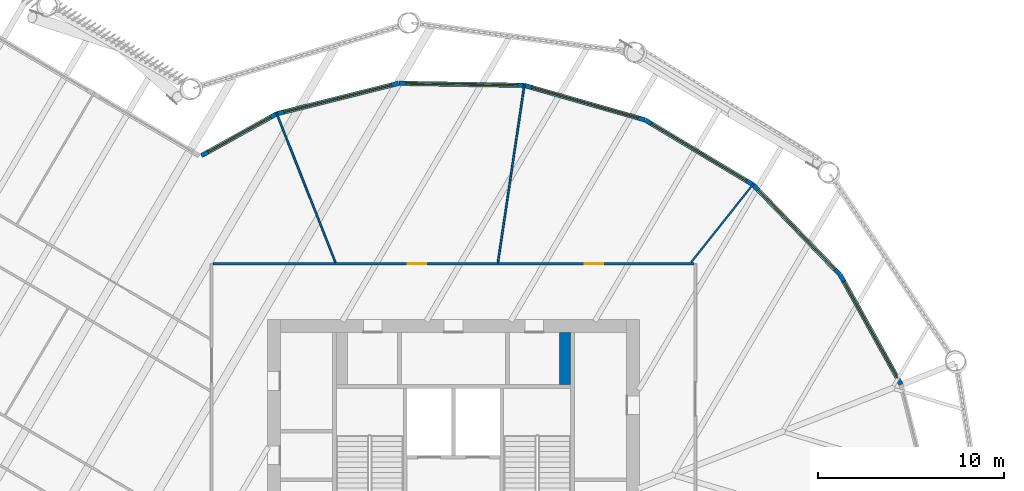
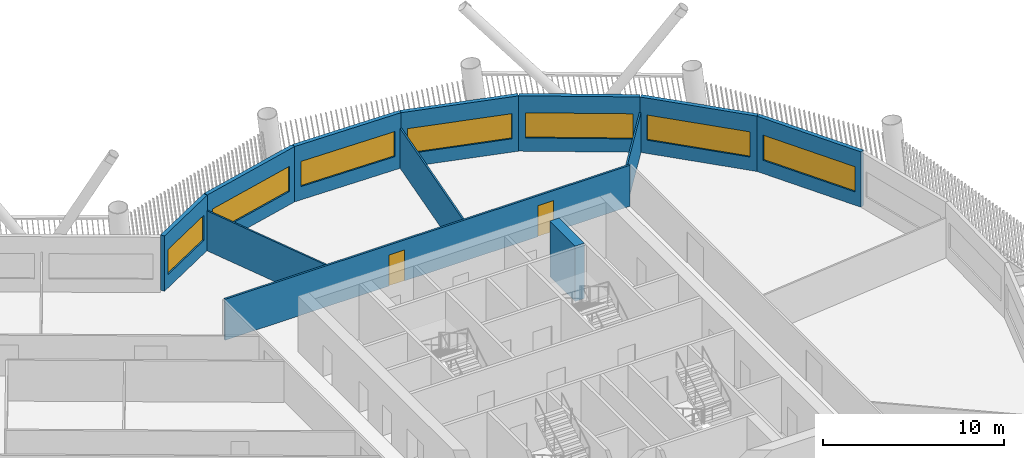
# One storey, part 7 of 23: 12 walls, 7 windows, 2 doors, 9 openings.
"""IFC4 building model written with IfcOpenShell, lengths in metres."""

from ifc_helpers import new_model, si_unit, direction, frame, frame_2d, origin, place, context, subcontext, project, spatial, rectangle, extrude, material, layer, layer_set, type_object, element, fill, save


model = new_model("IFC4")

# Units and contexts
model_context = context("Model", 3, precision=1e-05, world=origin(), true_north=direction((0.0, 1.0)))
body_context = subcontext(model_context, "Body", "Model", "MODEL_VIEW")
ifc_project = project(units=[si_unit("LENGTHUNIT", "METRE"), si_unit("AREAUNIT", "SQUARE_METRE"), si_unit("VOLUMEUNIT", "CUBIC_METRE"), si_unit("PLANEANGLEUNIT", "RADIAN"), si_unit("MASSUNIT", "GRAM", prefix="KILO")], contexts=[model_context])

# Site, building, storey
site_placement = place(None, origin())
site = spatial("IfcSite", under=ifc_project, at=site_placement, CompositionType="ELEMENT")
building_placement = place(site_placement, origin())
building = spatial("IfcBuilding", under=site, at=building_placement, Name="Tarsis Ring Headquarters", CompositionType="ELEMENT")
storey_placement = place(building_placement, frame((0.0, 0.0, 155.39990234375)))
storey = spatial("IfcBuildingStorey", under=building, at=storey_placement, Name="L35", CompositionType="ELEMENT", Elevation=155.39990234375)

# Walls
ifc_material_1 = material(Name="Gypsum board on steel studs", Category="steel")
ifc_layer_1 = layer(ifc_material_1, 0.10009765625)
ifc_layer_set_1 = layer_set([ifc_layer_1], Name="FL partition 100 unrated")
wall_type_1 = type_object("IfcWallType", Name="FL partition 100 unrated", PredefinedType="PARTITIONING", material=ifc_layer_set_1)
wall_1_placement = place(storey_placement, frame((2.39013671875, 16.069091796875, 0.0), z_axis=(0.0, 0.0, 1.0), x_axis=(0.147108595153, 0.989120347193, 0.0)))
element("IfcWall", 1, at=wall_1_placement, inside=storey, type_object=wall_type_1, Name="Partition PW3", PredefinedType="PARTITIONING", context=body_context, shape_type="SweptSolid", body=[
    extrude(rectangle(XDim=9.701904296875, YDim=0.10009765625, at=frame_2d((4.85107421875, 0.0))), origin(), (0.0, 0.0, 1.0), 2.7001953125),
])
wall_2_placement = place(storey_placement, frame((-9.52685546875, 24.1357421875, 0.0), z_axis=(0.0, 0.0, 1.0), x_axis=(0.367171024418, -0.930153449076, 0.0)))
element("IfcWall", 2, at=wall_2_placement, inside=storey, type_object=wall_type_1, Name="Partition PW3", PredefinedType="PARTITIONING", context=body_context, shape_type="SweptSolid", body=[
    extrude(rectangle(XDim=8.66650390625, YDim=0.10009765625, at=frame_2d((4.333251953125, 0.0))), origin(), (0.0, 0.0, 1.0), 2.7001953125),
])
wall_3_placement = place(storey_placement, frame((12.777099609375, 16.086181640625, 0.0), z_axis=(0.0, 0.0, 1.0), x_axis=(0.62196443112, 0.783045494478, 0.0)))
element("IfcWall", 3, at=wall_3_placement, inside=storey, type_object=wall_type_1, Name="Partition PW3", PredefinedType="PARTITIONING", context=body_context, shape_type="SweptSolid", body=[
    extrude(rectangle(XDim=5.40478515625, YDim=0.10009765625, at=frame_2d((2.702392578125, 0.0))), origin(), (0.0, 0.0, 1.0), 2.7001953125),
])

# Wall, openings, doors
ifc_layer_2 = layer(ifc_material_1, 0.125)
ifc_layer_set_2 = layer_set([ifc_layer_2], Name="FL partition 125 EI 60 H2770")
wall_type_2 = type_object("IfcWallType", Name="FL partition 125 EI 60 H2770", PredefinedType="PARTITIONING", material=ifc_layer_set_2)
wall_4_placement = place(storey_placement, frame((-12.93994140625, 16.0, 0.0), z_axis=(0.0, 0.0, 1.0), x_axis=(1.0, 0.0, 0.0)))
wall_4 = element("IfcWall", 4, at=wall_4_placement, inside=storey, type_object=wall_type_2, Name="Partition PW1", PredefinedType="PARTITIONING", context=body_context, shape_type="SweptSolid", body=[
    extrude(rectangle(XDim=25.8798828125, YDim=0.125, at=frame_2d((12.93994140625, 0.0))), origin(), (0.0, 0.0, 1.0), 2.77001953125),
])
opening_1_placement = place(wall_4_placement, frame((10.47216796875, 0.0, 0.0)))
opening_1 = element("IfcOpeningElement", 5, at=opening_1_placement, cuts=wall_4, Name="Opening D35.04", PredefinedType="OPENING", context=body_context, shape_type="SweptSolid", body=[
    extrude(rectangle(XDim=1.0, YDim=2.10009765625, at=frame_2d((0.5, 1.050048828125))), frame((0.0, 0.072509765625, 0.0), z_axis=(0.0, -1.0, 0.0), x_axis=(1.0, 0.0, 0.0)), (0.0, 0.0, 1.0), 0.14501953125),
])
opening_2_placement = place(wall_4_placement, frame((19.984375, 0.0, 0.0)))
opening_2 = element("IfcOpeningElement", 6, at=opening_2_placement, cuts=wall_4, Name="Opening D35.05", PredefinedType="OPENING", context=body_context, shape_type="SweptSolid", body=[
    extrude(rectangle(XDim=1.0, YDim=2.10009765625, at=frame_2d((0.5, 1.050048828125))), frame((0.0, 0.072509765625, 0.0), z_axis=(0.0, -1.0, 0.0), x_axis=(1.0, 0.0, 0.0)), (0.0, 0.0, 1.0), 0.14501953125),
])
ifc_material_2 = material(Name="Fire-rated timber door leaf in steel frame", Category="steel")
door_type = type_object("IfcDoorType", Name="FL door FD60-1000", OperationType="NOTDEFINED", PredefinedType="DOOR", material=ifc_material_2)
door_1_placement = place(opening_1_placement, origin())
door_1 = element("IfcDoor", 7, at=door_1_placement, inside=storey, type_object=door_type, Name="Door D35.04", OperationType="SINGLE_SWING_LEFT", OverallHeight=2.10009765625, OverallWidth=1.0, PredefinedType="DOOR", context=body_context, shape_type="SweptSolid", body=[
    extrude(rectangle(XDim=1.0, YDim=2.10009765625, at=frame_2d((0.5, 1.050048828125))), frame((0.0, 0.02490234375, 0.0), z_axis=(0.0, -1.0, 0.0), x_axis=(1.0, 0.0, 0.0)), (0.0, 0.0, 1.0), 0.050048828125),
])
fill(opening_1, door_1)
door_2_placement = place(opening_2_placement, origin())
door_2 = element("IfcDoor", 8, at=door_2_placement, inside=storey, type_object=door_type, Name="Door D35.05", OperationType="SINGLE_SWING_RIGHT", OverallHeight=2.10009765625, OverallWidth=1.0, PredefinedType="DOOR", context=body_context, shape_type="SweptSolid", body=[
    extrude(rectangle(XDim=1.0, YDim=2.10009765625, at=frame_2d((0.5, 1.050048828125))), frame((0.0, 0.02490234375, 0.0), z_axis=(0.0, -1.0, 0.0), x_axis=(1.0, 0.0, 0.0)), (0.0, 0.0, 1.0), 0.050048828125),
])
fill(opening_2, door_2)

# Wall, opening, window
ifc_material_3 = material(Name="Terracotta clad insulated panel wall", Category="masonry")
ifc_layer_3 = layer(ifc_material_3, 0.25)
ifc_layer_set_3 = layer_set([ifc_layer_3], Name="Facade wall terracotta panel 250")
wall_type_3 = type_object("IfcWallType", Name="Facade wall terracotta panel 250", PredefinedType="STANDARD", material=ifc_layer_set_3)
wall_5_placement = place(storey_placement, frame((24.058837890625, 9.513916015625, 0.0), z_axis=(0.0, 0.0, 1.0), x_axis=(-0.485399284766, 0.874292590812, 0.0)))
wall_5 = element("IfcWall", 9, at=wall_5_placement, inside=storey, type_object=wall_type_3, Name="External wall L35-24", PredefinedType="STANDARD", context=body_context, shape_type="SweptSolid", body=[
    extrude(rectangle(XDim=6.7216796875, YDim=0.25, at=frame_2d((3.36083984375, 0.0))), origin(), (0.0, 0.0, 1.0), 3.739990234375),
])
opening_3_placement = place(wall_5_placement, frame((0.3857421875, 0.0, 0.89990234375)))
opening_3 = element("IfcOpeningElement", 10, at=opening_3_placement, cuts=wall_5, Name="Opening WN07", PredefinedType="OPENING", context=body_context, shape_type="SweptSolid", body=[
    extrude(rectangle(XDim=5.949951171875, YDim=1.699951171875, at=frame_2d((2.97509765625, 0.85009765625))), frame((0.0, 0.135009765625, 0.0), z_axis=(0.0, -1.0, 0.0), x_axis=(1.0, 0.0, 0.0)), (0.0, 0.0, 1.0), 0.27001953125),
])
ifc_material_4 = material(Name="Aluminium framed double glazing", Category="aluminium")
window_type_1 = type_object("IfcWindowType", Name="Facade window 5950 x 1700", PartitioningType="SINGLE_PANEL", PredefinedType="WINDOW", material=ifc_material_4)
window_1_placement = place(opening_3_placement, origin())
window_1 = element("IfcWindow", 11, at=window_1_placement, inside=storey, type_object=window_type_1, Name="Window L35-24.1", OverallHeight=1.699951171875, OverallWidth=5.949951171875, PartitioningType="SINGLE_PANEL", PredefinedType="WINDOW", context=body_context, shape_type="SweptSolid", body=[
    extrude(rectangle(XDim=5.949951171875, YDim=1.699951171875, at=frame_2d((2.97509765625, 0.85009765625))), frame((0.0, 0.030029296875, 0.0), z_axis=(0.0, -1.0, 0.0), x_axis=(1.0, 0.0, 0.0)), (0.0, 0.0, 1.0), 0.06005859375),
])
fill(opening_3, window_1)

wall_6_placement = place(storey_placement, frame((20.77685546875, 15.416748046875, 0.0), z_axis=(0.0, 0.0, 1.0), x_axis=(-0.695166661443, 0.718848602154, 0.0)))
wall_6 = element("IfcWall", 12, at=wall_6_placement, inside=storey, type_object=wall_type_3, Name="External wall L35-25", PredefinedType="STANDARD", context=body_context, shape_type="SweptSolid", body=[
    extrude(rectangle(XDim=6.7216796875, YDim=0.25, at=frame_2d((3.36083984375, 0.0))), origin(), (0.0, 0.0, 1.0), 3.739990234375),
])
opening_4_placement = place(wall_6_placement, frame((0.3857421875, 0.0, 0.89990234375)))
opening_4 = element("IfcOpeningElement", 13, at=opening_4_placement, cuts=wall_6, Name="Opening WN07", PredefinedType="OPENING", context=body_context, shape_type="SweptSolid", body=[
    extrude(rectangle(XDim=5.949951171875, YDim=1.699951171875, at=frame_2d((2.97509765625, 0.85009765625))), frame((0.0, 0.135009765625, 0.0), z_axis=(0.0, -1.0, 0.0), x_axis=(1.0, 0.0, 0.0)), (0.0, 0.0, 1.0), 0.27001953125),
])
window_2_placement = place(opening_4_placement, origin())
window_2 = element("IfcWindow", 14, at=window_2_placement, inside=storey, type_object=window_type_1, Name="Window L35-25.1", OverallHeight=1.699951171875, OverallWidth=5.949951171875, PartitioningType="SINGLE_PANEL", PredefinedType="WINDOW", context=body_context, shape_type="SweptSolid", body=[
    extrude(rectangle(XDim=5.949951171875, YDim=1.699951171875, at=frame_2d((2.97509765625, 0.85009765625))), frame((0.0, 0.030029296875, 0.0), z_axis=(0.0, -1.0, 0.0), x_axis=(1.0, 0.0, 0.0)), (0.0, 0.0, 1.0), 0.06005859375),
])
fill(opening_4, window_2)

wall_7_placement = place(storey_placement, frame((16.07861328125, 20.268798828125, 0.0), z_axis=(0.0, 0.0, 1.0), x_axis=(-0.857531382142, 0.514431655948, 0.0)))
wall_7 = element("IfcWall", 15, at=wall_7_placement, inside=storey, type_object=wall_type_3, Name="External wall L35-26", PredefinedType="STANDARD", context=body_context, shape_type="SweptSolid", body=[
    extrude(rectangle(XDim=6.721435546875, YDim=0.25, at=frame_2d((3.36083984375, 0.0))), origin(), (0.0, 0.0, 1.0), 3.739990234375),
])
opening_5_placement = place(wall_7_placement, frame((0.3857421875, 0.0, 0.89990234375)))
opening_5 = element("IfcOpeningElement", 16, at=opening_5_placement, cuts=wall_7, Name="Opening WN07", PredefinedType="OPENING", context=body_context, shape_type="SweptSolid", body=[
    extrude(rectangle(XDim=5.949951171875, YDim=1.699951171875, at=frame_2d((2.97509765625, 0.85009765625))), frame((0.0, 0.135009765625, 0.0), z_axis=(0.0, -1.0, 0.0), x_axis=(1.0, 0.0, 0.0)), (0.0, 0.0, 1.0), 0.27001953125),
])
window_3_placement = place(opening_5_placement, origin())
window_3 = element("IfcWindow", 17, at=window_3_placement, inside=storey, type_object=window_type_1, Name="Window L35-26.1", OverallHeight=1.699951171875, OverallWidth=5.949951171875, PartitioningType="SINGLE_PANEL", PredefinedType="WINDOW", context=body_context, shape_type="SweptSolid", body=[
    extrude(rectangle(XDim=5.949951171875, YDim=1.699951171875, at=frame_2d((2.97509765625, 0.85009765625))), frame((0.0, 0.030029296875, 0.0), z_axis=(0.0, -1.0, 0.0), x_axis=(1.0, 0.0, 0.0)), (0.0, 0.0, 1.0), 0.06005859375),
])
fill(opening_5, window_3)

wall_8_placement = place(storey_placement, frame((10.284912109375, 23.73974609375, 0.0), z_axis=(0.0, 0.0, 1.0), x_axis=(-0.96145813075, 0.274951382637, 0.0)))
wall_8 = element("IfcWall", 18, at=wall_8_placement, inside=storey, type_object=wall_type_3, Name="External wall L35-27", PredefinedType="STANDARD", context=body_context, shape_type="SweptSolid", body=[
    extrude(rectangle(XDim=6.7216796875, YDim=0.25, at=frame_2d((3.36083984375, 0.0))), origin(), (0.0, 0.0, 1.0), 3.739990234375),
])
opening_6_placement = place(wall_8_placement, frame((0.3857421875, 0.0, 0.89990234375)))
opening_6 = element("IfcOpeningElement", 19, at=opening_6_placement, cuts=wall_8, Name="Opening WN07", PredefinedType="OPENING", context=body_context, shape_type="SweptSolid", body=[
    extrude(rectangle(XDim=5.949951171875, YDim=1.699951171875, at=frame_2d((2.97509765625, 0.85009765625))), frame((0.0, 0.135009765625, 0.0), z_axis=(0.0, -1.0, 0.0), x_axis=(1.0, 0.0, 0.0)), (0.0, 0.0, 1.0), 0.27001953125),
])
window_4_placement = place(opening_6_placement, origin())
window_4 = element("IfcWindow", 20, at=window_4_placement, inside=storey, type_object=window_type_1, Name="Window L35-27.1", OverallHeight=1.699951171875, OverallWidth=5.949951171875, PartitioningType="SINGLE_PANEL", PredefinedType="WINDOW", context=body_context, shape_type="SweptSolid", body=[
    extrude(rectangle(XDim=5.949951171875, YDim=1.699951171875, at=frame_2d((2.97509765625, 0.85009765625))), frame((0.0, 0.030029296875, 0.0), z_axis=(0.0, -1.0, 0.0), x_axis=(1.0, 0.0, 0.0)), (0.0, 0.0, 1.0), 0.06005859375),
])
fill(opening_6, window_4)

wall_9_placement = place(storey_placement, frame((3.7900390625, 25.5927734375, 0.0), z_axis=(0.0, 0.0, 1.0), x_axis=(-0.999859795244, 0.016744845628, 0.0)))
wall_9 = element("IfcWall", 21, at=wall_9_placement, inside=storey, type_object=wall_type_3, Name="External wall L35-28", PredefinedType="STANDARD", context=body_context, shape_type="SweptSolid", body=[
    extrude(rectangle(XDim=6.721435546875, YDim=0.25, at=frame_2d((3.36083984375, 0.0))), origin(), (0.0, 0.0, 1.0), 3.739990234375),
])
opening_7_placement = place(wall_9_placement, frame((0.3857421875, 0.0, 0.89990234375)))
opening_7 = element("IfcOpeningElement", 22, at=opening_7_placement, cuts=wall_9, Name="Opening WN07", PredefinedType="OPENING", context=body_context, shape_type="SweptSolid", body=[
    extrude(rectangle(XDim=5.949951171875, YDim=1.699951171875, at=frame_2d((2.97509765625, 0.85009765625))), frame((0.0, 0.135009765625, 0.0), z_axis=(0.0, -1.0, 0.0), x_axis=(1.0, 0.0, 0.0)), (0.0, 0.0, 1.0), 0.27001953125),
])
window_5_placement = place(opening_7_placement, origin())
window_5 = element("IfcWindow", 23, at=window_5_placement, inside=storey, type_object=window_type_1, Name="Window L35-28.1", OverallHeight=1.699951171875, OverallWidth=5.949951171875, PartitioningType="SINGLE_PANEL", PredefinedType="WINDOW", context=body_context, shape_type="SweptSolid", body=[
    extrude(rectangle(XDim=5.949951171875, YDim=1.699951171875, at=frame_2d((2.97509765625, 0.85009765625))), frame((0.0, 0.030029296875, 0.0), z_axis=(0.0, -1.0, 0.0), x_axis=(1.0, 0.0, 0.0)), (0.0, 0.0, 1.0), 0.06005859375),
])
fill(opening_7, window_5)

wall_10_placement = place(storey_placement, frame((-2.962890625, 25.70166015625, 0.0), z_axis=(0.0, 0.0, 1.0), x_axis=(-0.970118993248, -0.242629633266, 0.0)))
wall_10 = element("IfcWall", 24, at=wall_10_placement, inside=storey, type_object=wall_type_3, Name="External wall L35-29", PredefinedType="STANDARD", context=body_context, shape_type="SweptSolid", body=[
    extrude(rectangle(XDim=6.7216796875, YDim=0.25, at=frame_2d((3.36083984375, 0.0))), origin(), (0.0, 0.0, 1.0), 3.739990234375),
])
opening_8_placement = place(wall_10_placement, frame((0.3857421875, 0.0, 0.89990234375)))
opening_8 = element("IfcOpeningElement", 25, at=opening_8_placement, cuts=wall_10, Name="Opening WN07", PredefinedType="OPENING", context=body_context, shape_type="SweptSolid", body=[
    extrude(rectangle(XDim=5.949951171875, YDim=1.699951171875, at=frame_2d((2.97509765625, 0.85009765625))), frame((0.0, 0.135009765625, 0.0), z_axis=(0.0, -1.0, 0.0), x_axis=(1.0, 0.0, 0.0)), (0.0, 0.0, 1.0), 0.27001953125),
])
window_6_placement = place(opening_8_placement, origin())
window_6 = element("IfcWindow", 26, at=window_6_placement, inside=storey, type_object=window_type_1, Name="Window L35-29.1", OverallHeight=1.699951171875, OverallWidth=5.949951171875, PartitioningType="SINGLE_PANEL", PredefinedType="WINDOW", context=body_context, shape_type="SweptSolid", body=[
    extrude(rectangle(XDim=5.949951171875, YDim=1.699951171875, at=frame_2d((2.97509765625, 0.85009765625))), frame((0.0, 0.030029296875, 0.0), z_axis=(0.0, -1.0, 0.0), x_axis=(1.0, 0.0, 0.0)), (0.0, 0.0, 1.0), 0.06005859375),
])
fill(opening_8, window_6)

wall_11_placement = place(storey_placement, frame((-9.513916015625, 24.058837890625, 0.0), z_axis=(0.0, 0.0, 1.0), x_axis=(-0.874296894298, -0.485391533322, 0.0)))
wall_11 = element("IfcWall", 27, at=wall_11_placement, inside=storey, type_object=wall_type_3, Name="External wall L35-30", PredefinedType="STANDARD", context=body_context, shape_type="SweptSolid", body=[
    extrude(rectangle(XDim=4.617919921875, YDim=0.25, at=frame_2d((2.30908203125, 0.0))), origin(), (0.0, 0.0, 1.0), 3.739990234375),
])
opening_9_placement = place(wall_11_placement, frame((0.367431640625, 0.0, 0.89990234375)))
opening_9 = element("IfcOpeningElement", 28, at=opening_9_placement, cuts=wall_11, Name="Opening WN02", PredefinedType="OPENING", context=body_context, shape_type="SweptSolid", body=[
    extrude(rectangle(XDim=3.85009765625, YDim=1.699951171875, at=frame_2d((1.925048828125, 0.85009765625))), frame((0.0, 0.135009765625, 0.0), z_axis=(0.0, -1.0, 0.0), x_axis=(1.0, 0.0, 0.0)), (0.0, 0.0, 1.0), 0.27001953125),
])
window_type_2 = type_object("IfcWindowType", Name="Facade window 3850 x 1700", PartitioningType="SINGLE_PANEL", PredefinedType="WINDOW", material=ifc_material_4)
window_7_placement = place(opening_9_placement, origin())
window_7 = element("IfcWindow", 29, at=window_7_placement, inside=storey, type_object=window_type_2, Name="Window L35-30.1", OverallHeight=1.699951171875, OverallWidth=3.85009765625, PartitioningType="SINGLE_PANEL", PredefinedType="WINDOW", context=body_context, shape_type="SweptSolid", body=[
    extrude(rectangle(XDim=3.85009765625, YDim=1.699951171875, at=frame_2d((1.925048828125, 0.85009765625))), frame((0.0, 0.030029296875, 0.0), z_axis=(0.0, -1.0, 0.0), x_axis=(1.0, 0.0, 0.0)), (0.0, 0.0, 1.0), 0.06005859375),
])
fill(opening_9, window_7)

# Wall
ifc_material_5 = material(Name="Concrete C32/40", Category="concrete")
ifc_layer_4 = layer(ifc_material_5, 0.60009765625)
ifc_layer_set_4 = layer_set([ifc_layer_4], Name="Shaft end wall 600 C32/40")
wall_type_4 = type_object("IfcWallType", Name="Shaft end wall 600 C32/40", PredefinedType="SOLIDWALL", material=ifc_layer_set_4)
wall_12_placement = place(storey_placement, frame((6.0, 9.5, 0.0), z_axis=(0.0, 0.0, 1.0), x_axis=(0.0, 1.0, 0.0)))
element("IfcWall", 30, at=wall_12_placement, inside=storey, type_object=wall_type_4, Name="Core shaft wall NNE2", PredefinedType="SOLIDWALL", context=body_context, shape_type="SweptSolid", body=[
    extrude(rectangle(XDim=2.800048828125, YDim=0.60009765625, at=frame_2d((1.39990234375, 0.0))), origin(), (0.0, 0.0, 1.0), 3.739990234375),
])

save(model, "model.ifc")
